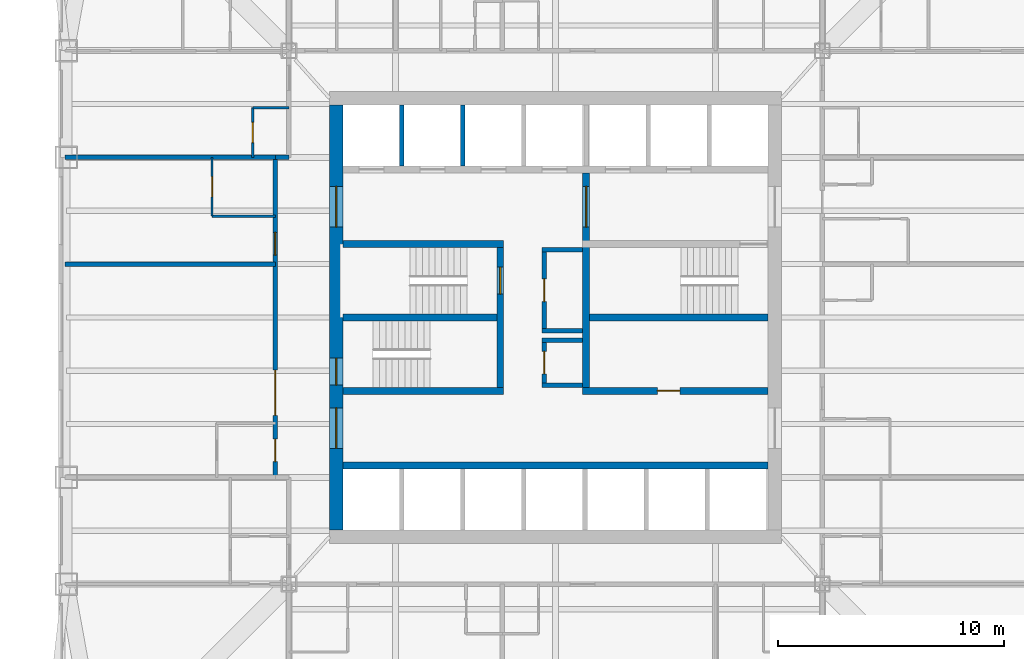
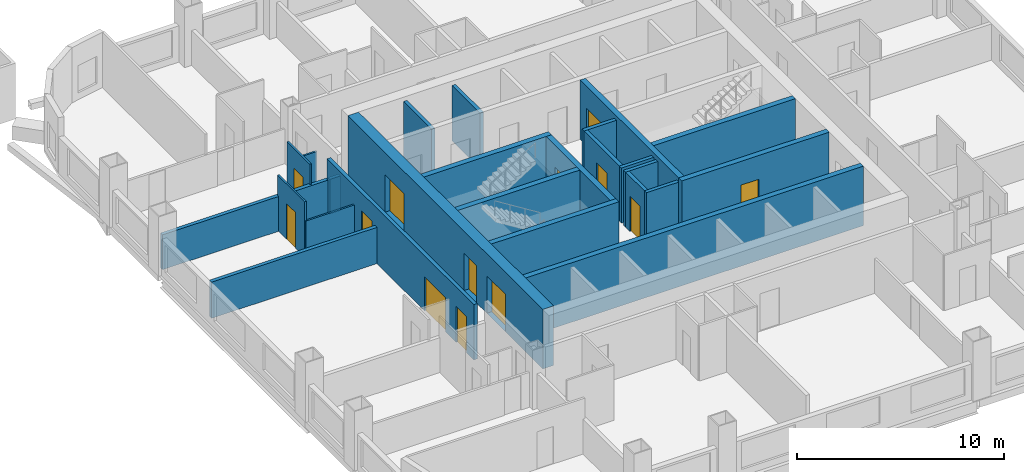
# One storey, part 4 of 9: 25 walls, 13 doors, 13 openings.
"""IFC4 building model written with IfcOpenShell, lengths in metres."""

from ifc_helpers import new_model, si_unit, direction, frame, frame_2d, origin, place, context, subcontext, project, spatial, rectangle, extrude, material, layer, layer_set, type_object, element, fill, save


model = new_model("IFC4")

# Units and contexts
model_context = context("Model", 3, precision=1e-05, world=origin(), true_north=direction((0.0, 1.0)))
body_context = subcontext(model_context, "Body", "Model", "MODEL_VIEW")
ifc_project = project(units=[si_unit("LENGTHUNIT", "METRE"), si_unit("AREAUNIT", "SQUARE_METRE"), si_unit("VOLUMEUNIT", "CUBIC_METRE"), si_unit("PLANEANGLEUNIT", "RADIAN"), si_unit("MASSUNIT", "GRAM", prefix="KILO")], contexts=[model_context])

# Site, building, storey
site_placement = place(None, origin())
site = spatial("IfcSite", under=ifc_project, at=site_placement, CompositionType="ELEMENT")
building_placement = place(site_placement, origin())
building = spatial("IfcBuilding", under=site, at=building_placement, Name="Turquesa Mirador Hotel Tower", CompositionType="ELEMENT")
storey_placement = place(building_placement, frame((0.0, 0.0, 84.5)))
storey = spatial("IfcBuildingStorey", under=building, at=storey_placement, Name="L22", CompositionType="ELEMENT", Elevation=84.5)

# Walls
ifc_material_1 = material(Name="Gypsum board on steel studs", Category="steel")
ifc_layer_1 = layer(ifc_material_1, 0.10009765625)
ifc_layer_set_1 = layer_set([ifc_layer_1], Name="BATHROOM WALL 100")
wall_type_1 = type_object("IfcWallType", Name="BATHROOM WALL 100", PredefinedType="PARTITIONING", material=ifc_layer_set_1)
wall_1_placement = place(storey_placement, frame((39.800048828125, 49.47998046875, 0.0), z_axis=(0.0, 0.0, 1.0), x_axis=(1.0, 0.0, 0.0)))
element("IfcWall", 1, at=wall_1_placement, inside=storey, type_object=wall_type_1, Name="Partition L22 033", PredefinedType="PARTITIONING", context=body_context, shape_type="SweptSolid", body=[
    extrude(rectangle(XDim=2.800048828125, YDim=0.10009765625, at=frame_2d((1.39990234375, 0.0))), origin(), (0.0, 0.0, 1.0), 2.13232421875),
])
wall_2_placement = place(storey_placement, frame((41.60009765625, 54.280029296875, 0.0), z_axis=(0.0, 0.0, 1.0), x_axis=(1.0, 0.0, 0.0)))
element("IfcWall", 2, at=wall_2_placement, inside=storey, type_object=wall_type_1, Name="Partition L22 038", PredefinedType="PARTITIONING", context=body_context, shape_type="SweptSolid", body=[
    extrude(rectangle(XDim=1.599853515625, YDim=0.10009765625, at=frame_2d((0.7998046875, 0.0))), origin(), (0.0, 0.0, 1.0), 2.13232421875),
])

# Wall, opening, door
wall_3_placement = place(storey_placement, frame((41.60009765625, 52.080078125, 0.0), z_axis=(0.0, 0.0, 1.0), x_axis=(0.0, 1.0, 0.0)))
wall_3 = element("IfcWall", 3, at=wall_3_placement, inside=storey, type_object=wall_type_1, Name="Partition L22 047", PredefinedType="PARTITIONING", context=body_context, shape_type="SweptSolid", body=[
    extrude(rectangle(XDim=2.199951171875, YDim=0.10009765625, at=frame_2d((1.10009765625, 0.0))), origin(), (0.0, 0.0, 1.0), 3.25),
])
opening_1_placement = place(wall_3_placement, frame((0.64990234375, 0.0, 0.0)))
opening_1 = element("IfcOpeningElement", 4, at=opening_1_placement, cuts=wall_3, Name="Opening D06", PredefinedType="OPENING", context=body_context, shape_type="SweptSolid", body=[
    extrude(rectangle(XDim=0.89990234375, YDim=2.10009765625, at=frame_2d((0.449951171875, 1.050048828125))), frame((0.0, 0.06005859375, 0.0), z_axis=(0.0, -1.0, 0.0), x_axis=(1.0, 0.0, 0.0)), (0.0, 0.0, 1.0), 0.1201171875),
])
ifc_material_2 = material(Name="Laminate door", Category="wood")
door_type_1 = type_object("IfcDoorType", Name="DOOR 900X2100 WC", OperationType="SINGLE_SWING_LEFT", PredefinedType="DOOR", material=ifc_material_2)
door_1_placement = place(opening_1_placement, origin())
door_1 = element("IfcDoor", 5, at=door_1_placement, inside=storey, type_object=door_type_1, Name="Door 2210W", OperationType="SINGLE_SWING_LEFT", OverallHeight=2.10009765625, OverallWidth=0.89990234375, PredefinedType="DOOR", context=body_context, shape_type="SweptSolid", body=[
    extrude(rectangle(XDim=0.89990234375, YDim=2.10009765625, at=frame_2d((0.449951171875, 1.050048828125))), frame((0.0, 0.02490234375, 0.0), z_axis=(0.0, -1.0, 0.0), x_axis=(1.0, 0.0, 0.0)), (0.0, 0.0, 1.0), 0.050048828125),
])
fill(opening_1, door_1)

wall_4_placement = place(storey_placement, frame((39.800048828125, 49.47998046875, 0.0), z_axis=(0.0, 0.0, 1.0), x_axis=(0.0, 1.0, 0.0)))
wall_4 = element("IfcWall", 6, at=wall_4_placement, inside=storey, type_object=wall_type_1, Name="Partition L22 052", PredefinedType="PARTITIONING", context=body_context, shape_type="SweptSolid", body=[
    extrude(rectangle(XDim=2.60009765625, YDim=0.10009765625, at=frame_2d((1.300048828125, 0.0))), origin(), (0.0, 0.0, 1.0), 3.25),
])
opening_2_placement = place(wall_4_placement, frame((0.85009765625, 0.0, 0.0)))
opening_2 = element("IfcOpeningElement", 7, at=opening_2_placement, cuts=wall_4, Name="Opening D02", PredefinedType="OPENING", context=body_context, shape_type="SweptSolid", body=[
    extrude(rectangle(XDim=0.89990234375, YDim=2.10009765625, at=frame_2d((0.449951171875, 1.050048828125))), frame((0.0, 0.06005859375, 0.0), z_axis=(0.0, -1.0, 0.0), x_axis=(1.0, 0.0, 0.0)), (0.0, 0.0, 1.0), 0.1201171875),
])
ifc_material_3 = material(Name="Timber veneered door", Category="wood")
door_type_2 = type_object("IfcDoorType", Name="DOOR 900X2100 EN-SUITE", OperationType="SINGLE_SWING_RIGHT", PredefinedType="DOOR", material=ifc_material_3)
door_2_placement = place(opening_2_placement, origin())
door_2 = element("IfcDoor", 8, at=door_2_placement, inside=storey, type_object=door_type_2, Name="Door 2208B", OperationType="SINGLE_SWING_RIGHT", OverallHeight=2.10009765625, OverallWidth=0.89990234375, PredefinedType="DOOR", context=body_context, shape_type="SweptSolid", body=[
    extrude(rectangle(XDim=0.89990234375, YDim=2.10009765625, at=frame_2d((0.449951171875, 1.050048828125))), frame((0.0, 0.02490234375, 0.0), z_axis=(0.0, -1.0, 0.0), x_axis=(1.0, 0.0, 0.0)), (0.0, 0.0, 1.0), 0.050048828125),
])
fill(opening_2, door_2)

# Walls
ifc_material_4 = material(Name="Concrete C50/60", Category="concrete")
ifc_layer_2 = layer(ifc_material_4, 0.300048828125)
ifc_layer_set_2 = layer_set([ifc_layer_2], Name="CORE INNER WALL 300")
wall_type_2 = type_object("IfcWallType", Name="CORE INNER WALL 300", PredefinedType="SHEAR", material=ifc_layer_set_2)
wall_5_placement = place(storey_placement, frame((45.60009765625, 38.449951171875, 0.0), z_axis=(0.0, 0.0, 1.0), x_axis=(1.0, 0.0, 0.0)))
element("IfcWall", 9, at=wall_5_placement, inside=storey, type_object=wall_type_2, Name="Core wall SL", PredefinedType="SHEAR", context=body_context, shape_type="SweptSolid", body=[
    extrude(rectangle(XDim=18.7998046875, YDim=0.300048828125, at=frame_2d((9.39990234375, 0.0))), origin(), (0.0, 0.0, 1.0), 3.5),
])
for number, where, z_axis, x_axis, name in (
    (10, (45.60009765625, 48.25, 0.0), (0.0, 0.0, 1.0), (1.0, 0.0, 0.0), "Core wall MN-W"),
    (11, (45.60009765625, 41.75, 0.0), (0.0, 0.0, 1.0), (1.0, 0.0, 0.0), "Core wall MS-W"),
):
    element("IfcWall", number, at=place(storey_placement, frame(where, z_axis=z_axis, x_axis=x_axis)), inside=storey, type_object=wall_type_2, Name=name, PredefinedType="SHEAR", context=body_context, shape_type="SweptSolid", body=[
        extrude(rectangle(XDim=7.099853515625, YDim=0.300048828125, at=frame_2d((3.5498046875, 0.0))), origin(), (0.0, 0.0, 1.0), 3.5),
    ])

# Wall, opening, door
wall_6_placement = place(storey_placement, frame((56.199951171875, 41.75, 0.0), z_axis=(0.0, 0.0, 1.0), x_axis=(1.0, 0.0, 0.0)))
wall_6 = element("IfcWall", 12, at=wall_6_placement, inside=storey, type_object=wall_type_2, Name="Core wall MS-E", PredefinedType="SHEAR", context=body_context, shape_type="SweptSolid", body=[
    extrude(rectangle(XDim=8.199951171875, YDim=0.300048828125, at=frame_2d((4.10009765625, 0.0))), origin(), (0.0, 0.0, 1.0), 3.5),
])
opening_3_placement = place(wall_6_placement, frame((3.300048828125, 0.0, 0.0)))
opening_3 = element("IfcOpeningElement", 13, at=opening_3_placement, cuts=wall_6, Name="Opening D05", PredefinedType="OPENING", context=body_context, shape_type="SweptSolid", body=[
    extrude(rectangle(XDim=1.0, YDim=2.10009765625, at=frame_2d((0.5, 1.050048828125))), frame((0.0, 0.159912109375, 0.0), z_axis=(0.0, -1.0, 0.0), x_axis=(1.0, 0.0, 0.0)), (0.0, 0.0, 1.0), 0.320068359375),
])
ifc_material_5 = material(Name="Steel fire door", Category="steel")
door_type_3 = type_object("IfcDoorType", Name="DOOR 1000X2100 SERVICE", OperationType="SINGLE_SWING_LEFT", PredefinedType="DOOR", material=ifc_material_5)
door_3_placement = place(opening_3_placement, origin())
door_3 = element("IfcDoor", 14, at=door_3_placement, inside=storey, type_object=door_type_3, Name="Housekeeping room door", OperationType="SINGLE_SWING_LEFT", OverallHeight=2.10009765625, OverallWidth=1.0, PredefinedType="DOOR", context=body_context, shape_type="SweptSolid", body=[
    extrude(rectangle(XDim=1.0, YDim=2.10009765625, at=frame_2d((0.5, 1.050048828125))), frame((0.0, 0.02490234375, 0.0), z_axis=(0.0, -1.0, 0.0), x_axis=(1.0, 0.0, 0.0)), (0.0, 0.0, 1.0), 0.050048828125),
])
fill(opening_3, door_3)

wall_7_placement = place(storey_placement, frame((52.550048828125, 41.89990234375, 0.0), z_axis=(0.0, 0.0, 1.0), x_axis=(0.0, 1.0, 0.0)))
wall_7 = element("IfcWall", 15, at=wall_7_placement, inside=storey, type_object=wall_type_2, Name="Core wall PW", PredefinedType="SHEAR", context=body_context, shape_type="SweptSolid", body=[
    extrude(rectangle(XDim=6.2001953125, YDim=0.300048828125, at=frame_2d((3.10009765625, 0.0))), origin(), (0.0, 0.0, 1.0), 3.5),
])
opening_4_placement = place(wall_7_placement, frame((4.125, 0.0, 0.0)))
opening_4 = element("IfcOpeningElement", 16, at=opening_4_placement, cuts=wall_7, Name="Opening D03", PredefinedType="OPENING", context=body_context, shape_type="SweptSolid", body=[
    extrude(rectangle(XDim=1.199951171875, YDim=2.199951171875, at=frame_2d((0.60009765625, 1.10009765625))), frame((0.0, 0.159912109375, 0.0), z_axis=(0.0, -1.0, 0.0), x_axis=(1.0, 0.0, 0.0)), (0.0, 0.0, 1.0), 0.320068359375),
])
ifc_material_6 = material(Name="Steel fire door", Category="steel")
door_type_4 = type_object("IfcDoorType", Name="DOOR 1200X2200 STAIR", OperationType="SINGLE_SWING_LEFT", PredefinedType="DOOR", material=ifc_material_6)
door_4_placement = place(opening_4_placement, origin())
door_4 = element("IfcDoor", 17, at=door_4_placement, inside=storey, type_object=door_type_4, Name="Stair ST1 door", OperationType="SINGLE_SWING_LEFT", OverallHeight=2.199951171875, OverallWidth=1.199951171875, PredefinedType="DOOR", context=body_context, shape_type="SweptSolid", body=[
    extrude(rectangle(XDim=1.199951171875, YDim=2.199951171875, at=frame_2d((0.60009765625, 1.10009765625))), frame((0.0, 0.02490234375, 0.0), z_axis=(0.0, -1.0, 0.0), x_axis=(1.0, 0.0, 0.0)), (0.0, 0.0, 1.0), 0.050048828125),
])
fill(opening_4, door_4)

wall_8_placement = place(storey_placement, frame((56.35009765625, 41.89990234375, 0.0), z_axis=(0.0, 0.0, 1.0), x_axis=(0.0, 1.0, 0.0)))
wall_8 = element("IfcWall", 18, at=wall_8_placement, inside=storey, type_object=wall_type_2, Name="Core wall PE", PredefinedType="SHEAR", context=body_context, shape_type="SweptSolid", body=[
    extrude(rectangle(XDim=9.5, YDim=0.300048828125, at=frame_2d((4.75, 0.0))), origin(), (0.0, 0.0, 1.0), 3.5),
])
opening_5_placement = place(wall_8_placement, frame((7.10009765625, 0.0, 0.0)))
opening_5 = element("IfcOpeningElement", 19, at=opening_5_placement, cuts=wall_8, Name="Opening D04", PredefinedType="OPENING", context=body_context, shape_type="SweptSolid", body=[
    extrude(rectangle(XDim=1.800048828125, YDim=2.199951171875, at=frame_2d((0.89990234375, 1.10009765625))), frame((0.0, 0.159912109375, 0.0), z_axis=(0.0, -1.0, 0.0), x_axis=(1.0, 0.0, 0.0)), (0.0, 0.0, 1.0), 0.320068359375),
])
ifc_material_7 = material(Name="Steel fire door pair", Category="steel")
door_type_5 = type_object("IfcDoorType", Name="DOOR 1800X2200 PAIR", OperationType="DOUBLE_DOOR_SINGLE_SWING", PredefinedType="DOOR", material=ifc_material_7)
door_5_placement = place(opening_5_placement, origin())
door_5 = element("IfcDoor", 20, at=door_5_placement, inside=storey, type_object=door_type_5, Name="Firefighting lobby inner door", OperationType="DOUBLE_DOOR_SINGLE_SWING", OverallHeight=2.199951171875, OverallWidth=1.800048828125, PredefinedType="DOOR", context=body_context, shape_type="SweptSolid", body=[
    extrude(rectangle(XDim=1.800048828125, YDim=2.199951171875, at=frame_2d((0.89990234375, 1.10009765625))), frame((0.0, 0.02490234375, 0.0), z_axis=(0.0, -1.0, 0.0), x_axis=(1.0, 0.0, 0.0)), (0.0, 0.0, 1.0), 0.050048828125),
])
fill(opening_5, door_5)

# Walls
wall_9_placement = place(storey_placement, frame((45.60009765625, 45.0, 0.0), z_axis=(0.0, 0.0, 1.0), x_axis=(1.0, 0.0, 0.0)))
element("IfcWall", 21, at=wall_9_placement, inside=storey, type_object=wall_type_2, Name="Core wall M0-W", PredefinedType="SHEAR", context=body_context, shape_type="SweptSolid", body=[
    extrude(rectangle(XDim=6.7998046875, YDim=0.300048828125, at=frame_2d((3.39990234375, 0.0))), origin(), (0.0, 0.0, 1.0), 3.5),
])
wall_10_placement = place(storey_placement, frame((56.5, 45.0, 0.0), z_axis=(0.0, 0.0, 1.0), x_axis=(1.0, 0.0, 0.0)))
element("IfcWall", 22, at=wall_10_placement, inside=storey, type_object=wall_type_2, Name="Core wall M0-E", PredefinedType="SHEAR", context=body_context, shape_type="SweptSolid", body=[
    extrude(rectangle(XDim=7.89990234375, YDim=0.300048828125, at=frame_2d((3.949951171875, 0.0))), origin(), (0.0, 0.0, 1.0), 3.5),
])

# Wall, openings, doors
ifc_material_8 = material(Name="Concrete C50/60", Category="concrete")
ifc_layer_3 = layer(ifc_material_8, 0.60009765625)
ifc_layer_set_3 = layer_set([ifc_layer_3], Name="CORE WALL 600")
wall_type_3 = type_object("IfcWallType", Name="CORE WALL 600", PredefinedType="SHEAR", material=ifc_layer_set_3)
wall_11_placement = place(storey_placement, frame((45.300048828125, 35.60009765625, 0.0), z_axis=(0.0, 0.0, 1.0), x_axis=(0.0, 1.0, 0.0)))
wall_11 = element("IfcWall", 23, at=wall_11_placement, inside=storey, type_object=wall_type_3, Name="Core wall W", PredefinedType="SHEAR", context=body_context, shape_type="SweptSolid", body=[
    extrude(rectangle(XDim=18.7998046875, YDim=0.60009765625, at=frame_2d((9.39990234375, 0.0))), origin(), (0.0, 0.0, 1.0), 3.5),
])
opening_6_placement = place(wall_11_placement, frame((13.39990234375, 0.0, 0.0)))
opening_6 = element("IfcOpeningElement", 24, at=opening_6_placement, cuts=wall_11, Name="Opening D04", PredefinedType="OPENING", context=body_context, shape_type="SweptSolid", body=[
    extrude(rectangle(XDim=1.800048828125, YDim=2.199951171875, at=frame_2d((0.89990234375, 1.10009765625))), frame((0.0, 0.31005859375, 0.0), z_axis=(0.0, -1.0, 0.0), x_axis=(1.0, 0.0, 0.0)), (0.0, 0.0, 1.0), 0.6201171875),
])
opening_7_placement = place(wall_11_placement, frame((3.60009765625, 0.0, 0.0)))
opening_7 = element("IfcOpeningElement", 25, at=opening_7_placement, cuts=wall_11, Name="Opening D04", PredefinedType="OPENING", context=body_context, shape_type="SweptSolid", body=[
    extrude(rectangle(XDim=1.800048828125, YDim=2.199951171875, at=frame_2d((0.89990234375, 1.10009765625))), frame((0.0, 0.31005859375, 0.0), z_axis=(0.0, -1.0, 0.0), x_axis=(1.0, 0.0, 0.0)), (0.0, 0.0, 1.0), 0.6201171875),
])
opening_8_placement = place(wall_11_placement, frame((6.39990234375, 0.0, 0.0)))
opening_8 = element("IfcOpeningElement", 26, at=opening_8_placement, cuts=wall_11, Name="Opening D03", PredefinedType="OPENING", context=body_context, shape_type="SweptSolid", body=[
    extrude(rectangle(XDim=1.199951171875, YDim=2.199951171875, at=frame_2d((0.60009765625, 1.10009765625))), frame((0.0, 0.31005859375, 0.0), z_axis=(0.0, -1.0, 0.0), x_axis=(1.0, 0.0, 0.0)), (0.0, 0.0, 1.0), 0.6201171875),
])
door_6_placement = place(opening_8_placement, origin())
door_6 = element("IfcDoor", 27, at=door_6_placement, inside=storey, type_object=door_type_4, Name="Stair ST2 door", OperationType="SINGLE_SWING_LEFT", OverallHeight=2.199951171875, OverallWidth=1.199951171875, PredefinedType="DOOR", context=body_context, shape_type="SweptSolid", body=[
    extrude(rectangle(XDim=1.199951171875, YDim=2.199951171875, at=frame_2d((0.60009765625, 1.10009765625))), frame((0.0, 0.02490234375, 0.0), z_axis=(0.0, -1.0, 0.0), x_axis=(1.0, 0.0, 0.0)), (0.0, 0.0, 1.0), 0.050048828125),
])
fill(opening_8, door_6)
door_7_placement = place(opening_6_placement, origin())
door_7 = element("IfcDoor", 28, at=door_7_placement, inside=storey, type_object=door_type_5, Name="North lift lobby door", OperationType="DOUBLE_DOOR_SINGLE_SWING", OverallHeight=2.199951171875, OverallWidth=1.800048828125, PredefinedType="DOOR", context=body_context, shape_type="SweptSolid", body=[
    extrude(rectangle(XDim=1.800048828125, YDim=2.199951171875, at=frame_2d((0.89990234375, 1.10009765625))), frame((0.0, 0.02490234375, 0.0), z_axis=(0.0, -1.0, 0.0), x_axis=(1.0, 0.0, 0.0)), (0.0, 0.0, 1.0), 0.050048828125),
])
fill(opening_6, door_7)
door_8_placement = place(opening_7_placement, origin())
door_8 = element("IfcDoor", 29, at=door_8_placement, inside=storey, type_object=door_type_5, Name="South lift lobby door", OperationType="DOUBLE_DOOR_SINGLE_SWING", OverallHeight=2.199951171875, OverallWidth=1.800048828125, PredefinedType="DOOR", context=body_context, shape_type="SweptSolid", body=[
    extrude(rectangle(XDim=1.800048828125, YDim=2.199951171875, at=frame_2d((0.89990234375, 1.10009765625))), frame((0.0, 0.02490234375, 0.0), z_axis=(0.0, -1.0, 0.0), x_axis=(1.0, 0.0, 0.0)), (0.0, 0.0, 1.0), 0.050048828125),
])
fill(opening_7, door_8)

# Wall
ifc_material_9 = material(Name="Fire-rated gypsum board on steel studs", Category="steel")
ifc_layer_4 = layer(ifc_material_9, 0.199951171875)
ifc_layer_set_4 = layer_set([ifc_layer_4], Name="CORRIDOR WALL 200")
wall_type_4 = type_object("IfcWallType", Name="CORRIDOR WALL 200", PredefinedType="PARTITIONING", material=ifc_layer_set_4)
wall_12_placement = place(storey_placement, frame((42.60009765625, 52.080078125, 0.0), z_axis=(0.0, 0.0, 1.0), x_axis=(1.0, 0.0, 0.0)))
element("IfcWall", 30, at=wall_12_placement, inside=storey, type_object=wall_type_4, Name="Partition L22 035", PredefinedType="PARTITIONING", context=body_context, shape_type="SweptSolid", body=[
    extrude(rectangle(XDim=0.599853515625, YDim=0.199951171875, at=frame_2d((0.2998046875, 0.0))), origin(), (0.0, 0.0, 1.0), 2.050048828125),
])

# Wall, openings, doors
wall_13_placement = place(storey_placement, frame((42.60009765625, 37.919921875, 0.0), z_axis=(0.0, 0.0, 1.0), x_axis=(0.0, 1.0, 0.0)))
wall_13 = element("IfcWall", 31, at=wall_13_placement, inside=storey, type_object=wall_type_4, Name="Partition L22 046", PredefinedType="PARTITIONING", context=body_context, shape_type="SweptSolid", body=[
    extrude(rectangle(XDim=14.16015625, YDim=0.199951171875, at=frame_2d((7.080078125, 0.0))), origin(), (0.0, 0.0, 1.0), 3.25),
])
opening_9_placement = place(wall_13_placement, frame((9.840087890625, 0.0, 0.0)))
opening_9 = element("IfcOpeningElement", 32, at=opening_9_placement, cuts=wall_13, Name="Opening D01", PredefinedType="OPENING", context=body_context, shape_type="SweptSolid", body=[
    extrude(rectangle(XDim=1.0, YDim=2.199951171875, at=frame_2d((0.5, 1.10009765625))), frame((0.0, 0.10986328125, 0.0), z_axis=(0.0, -1.0, 0.0), x_axis=(1.0, 0.0, 0.0)), (0.0, 0.0, 1.0), 0.219970703125),
])
opening_10_placement = place(wall_13_placement, frame((2.75, 0.0, 0.0)))
opening_10 = element("IfcOpeningElement", 33, at=opening_10_placement, cuts=wall_13, Name="Opening D26", PredefinedType="OPENING", context=body_context, shape_type="SweptSolid", body=[
    extrude(rectangle(XDim=2.0, YDim=2.0, at=frame_2d((1.0, 1.0))), frame((0.0, 0.10986328125, 0.0), z_axis=(0.0, -1.0, 0.0), x_axis=(1.0, 0.0, 0.0)), (0.0, 0.0, 1.0), 0.219970703125),
])
opening_11_placement = place(wall_13_placement, frame((0.699951171875, 0.0, 0.0)))
opening_11 = element("IfcOpeningElement", 34, at=opening_11_placement, cuts=wall_13, Name="Opening D05", PredefinedType="OPENING", context=body_context, shape_type="SweptSolid", body=[
    extrude(rectangle(XDim=1.0, YDim=2.10009765625, at=frame_2d((0.5, 1.050048828125))), frame((0.0, 0.10986328125, 0.0), z_axis=(0.0, -1.0, 0.0), x_axis=(1.0, 0.0, 0.0)), (0.0, 0.0, 1.0), 0.219970703125),
])
door_9_placement = place(opening_11_placement, origin())
door_9 = element("IfcDoor", 35, at=door_9_placement, inside=storey, type_object=door_type_3, Name="Door L22-LGP-1", OperationType="SINGLE_SWING_LEFT", OverallHeight=2.10009765625, OverallWidth=1.0, PredefinedType="DOOR", context=body_context, shape_type="SweptSolid", body=[
    extrude(rectangle(XDim=1.0, YDim=2.10009765625, at=frame_2d((0.5, 1.050048828125))), frame((0.0, 0.02490234375, 0.0), z_axis=(0.0, -1.0, 0.0), x_axis=(1.0, 0.0, 0.0)), (0.0, 0.0, 1.0), 0.050048828125),
])
fill(opening_11, door_9)
ifc_material_10 = material(Name="Timber veneered fire door", Category="wood")
door_type_6 = type_object("IfcDoorType", Name="DOOR 1000X2200 GUEST ENTRY", OperationType="SINGLE_SWING_LEFT", PredefinedType="DOOR", material=ifc_material_10)
door_10_placement = place(opening_9_placement, origin())
door_10 = element("IfcDoor", 36, at=door_10_placement, inside=storey, type_object=door_type_6, Name="Door 2208", OperationType="SINGLE_SWING_LEFT", OverallHeight=2.199951171875, OverallWidth=1.0, PredefinedType="DOOR", context=body_context, shape_type="SweptSolid", body=[
    extrude(rectangle(XDim=1.0, YDim=2.199951171875, at=frame_2d((0.5, 1.10009765625))), frame((0.0, 0.02490234375, 0.0), z_axis=(0.0, -1.0, 0.0), x_axis=(1.0, 0.0, 0.0)), (0.0, 0.0, 1.0), 0.050048828125),
])
fill(opening_9, door_10)
ifc_material_11 = material(Name="Timber veneered fire door pair", Category="wood")
door_type_7 = type_object("IfcDoorType", Name="DOOR 2000X2000 LOUNGE PAIR", OperationType="DOUBLE_DOOR_SINGLE_SWING", PredefinedType="DOOR", material=ifc_material_11)
door_11_placement = place(opening_10_placement, origin())
door_11 = element("IfcDoor", 37, at=door_11_placement, inside=storey, type_object=door_type_7, Name="Door L22-LG", OperationType="DOUBLE_DOOR_SINGLE_SWING", OverallHeight=2.0, OverallWidth=2.0, PredefinedType="DOOR", context=body_context, shape_type="SweptSolid", body=[
    extrude(rectangle(XDim=2.0, YDim=2.0, at=frame_2d((1.0, 1.0))), frame((0.0, 0.02490234375, 0.0), z_axis=(0.0, -1.0, 0.0), x_axis=(1.0, 0.0, 0.0)), (0.0, 0.0, 1.0), 0.050048828125),
])
fill(opening_10, door_11)

# Wall, opening, door
ifc_material_12 = material(Name="Fire-rated gypsum board on steel studs", Category="steel")
ifc_layer_5 = layer(ifc_material_12, 0.199951171875)
ifc_layer_set_5 = layer_set([ifc_layer_5], Name="FIRE PARTITION 200")
wall_type_5 = type_object("IfcWallType", Name="FIRE PARTITION 200", PredefinedType="PARTITIONING", material=ifc_layer_set_5)
wall_14_placement = place(storey_placement, frame((54.5, 42.0, 0.0), z_axis=(0.0, 0.0, 1.0), x_axis=(0.0, 1.0, 0.0)))
wall_14 = element("IfcWall", 38, at=wall_14_placement, inside=storey, type_object=wall_type_5, Name="Partition L22 BO W", PredefinedType="PARTITIONING", context=body_context, shape_type="SweptSolid", body=[
    extrude(rectangle(XDim=2.0, YDim=0.199951171875, at=frame_2d((1.0, 0.0))), origin(), (0.0, 0.0, 1.0), 3.25),
])
opening_12_placement = place(wall_14_placement, frame((0.5, 0.0, 0.0)))
opening_12 = element("IfcOpeningElement", 39, at=opening_12_placement, cuts=wall_14, Name="Opening D05", PredefinedType="OPENING", context=body_context, shape_type="SweptSolid", body=[
    extrude(rectangle(XDim=1.0, YDim=2.10009765625, at=frame_2d((0.5, 1.050048828125))), frame((0.0, 0.10986328125, 0.0), z_axis=(0.0, -1.0, 0.0), x_axis=(1.0, 0.0, 0.0)), (0.0, 0.0, 1.0), 0.219970703125),
])
door_12_placement = place(opening_12_placement, origin())
door_12 = element("IfcDoor", 40, at=door_12_placement, inside=storey, type_object=door_type_3, Name="Butler's pantry door", OperationType="SINGLE_SWING_LEFT", OverallHeight=2.10009765625, OverallWidth=1.0, PredefinedType="DOOR", context=body_context, shape_type="SweptSolid", body=[
    extrude(rectangle(XDim=1.0, YDim=2.10009765625, at=frame_2d((0.5, 1.050048828125))), frame((0.0, 0.02490234375, 0.0), z_axis=(0.0, -1.0, 0.0), x_axis=(1.0, 0.0, 0.0)), (0.0, 0.0, 1.0), 0.050048828125),
])
fill(opening_12, door_12)

# Walls
for number, where, z_axis, x_axis, name in (
    (41, (54.39990234375, 42.0, 0.0), (0.0, 0.0, 1.0), (1.0, 0.0, 0.0), "Partition L22 BO S"),
    (42, (54.39990234375, 44.0, 0.0), (0.0, 0.0, 1.0), (1.0, 0.0, 0.0), "Partition L22 BO N"),
):
    element("IfcWall", number, at=place(storey_placement, frame(where, z_axis=z_axis, x_axis=x_axis)), inside=storey, type_object=wall_type_5, Name=name, PredefinedType="PARTITIONING", context=body_context, shape_type="SweptSolid", body=[
        extrude(rectangle(XDim=1.800048828125, YDim=0.199951171875, at=frame_2d((0.89990234375, 0.0))), origin(), (0.0, 0.0, 1.0), 3.25),
    ])

# Wall, opening, door
wall_15_placement = place(storey_placement, frame((54.5, 44.39990234375, 0.0), z_axis=(0.0, 0.0, 1.0), x_axis=(0.0, 1.0, 0.0)))
wall_15 = element("IfcWall", 43, at=wall_15_placement, inside=storey, type_object=wall_type_5, Name="Partition L22 BP W", PredefinedType="PARTITIONING", context=body_context, shape_type="SweptSolid", body=[
    extrude(rectangle(XDim=3.60009765625, YDim=0.199951171875, at=frame_2d((1.800048828125, 0.0))), origin(), (0.0, 0.0, 1.0), 3.25),
])
opening_13_placement = place(wall_15_placement, frame((1.300048828125, 0.0, 0.0)))
opening_13 = element("IfcOpeningElement", 44, at=opening_13_placement, cuts=wall_15, Name="Opening D05", PredefinedType="OPENING", context=body_context, shape_type="SweptSolid", body=[
    extrude(rectangle(XDim=1.0, YDim=2.10009765625, at=frame_2d((0.5, 1.050048828125))), frame((0.0, 0.10986328125, 0.0), z_axis=(0.0, -1.0, 0.0), x_axis=(1.0, 0.0, 0.0)), (0.0, 0.0, 1.0), 0.219970703125),
])
door_13_placement = place(opening_13_placement, origin())
door_13 = element("IfcDoor", 45, at=door_13_placement, inside=storey, type_object=door_type_3, Name="Lounge pantry door", OperationType="SINGLE_SWING_LEFT", OverallHeight=2.10009765625, OverallWidth=1.0, PredefinedType="DOOR", context=body_context, shape_type="SweptSolid", body=[
    extrude(rectangle(XDim=1.0, YDim=2.10009765625, at=frame_2d((0.5, 1.050048828125))), frame((0.0, 0.02490234375, 0.0), z_axis=(0.0, -1.0, 0.0), x_axis=(1.0, 0.0, 0.0)), (0.0, 0.0, 1.0), 0.050048828125),
])
fill(opening_13, door_13)

# Walls
for number, where, z_axis, x_axis, name in (
    (46, (54.39990234375, 44.39990234375, 0.0), (0.0, 0.0, 1.0), (1.0, 0.0, 0.0), "Partition L22 BP S"),
    (47, (54.39990234375, 48.0, 0.0), (0.0, 0.0, 1.0), (1.0, 0.0, 0.0), "Partition L22 BP N"),
):
    element("IfcWall", number, at=place(storey_placement, frame(where, z_axis=z_axis, x_axis=x_axis)), inside=storey, type_object=wall_type_5, Name=name, PredefinedType="PARTITIONING", context=body_context, shape_type="SweptSolid", body=[
        extrude(rectangle(XDim=1.800048828125, YDim=0.199951171875, at=frame_2d((0.89990234375, 0.0))), origin(), (0.0, 0.0, 1.0), 3.25),
    ])
ifc_material_13 = material(Name="Fire-rated gypsum shaft wall on steel studs", Category="steel")
ifc_layer_6 = layer(ifc_material_13, 0.199951171875)
ifc_layer_set_6 = layer_set([ifc_layer_6], Name="LIFT SHAFT DIVIDER 200")
wall_type_6 = type_object("IfcWallType", Name="LIFT SHAFT DIVIDER 200", PredefinedType="PARTITIONING", material=ifc_layer_set_6)
for number, where, z_axis, x_axis, name in (
    (48, (48.199951171875, 51.699951171875, 0.0), (0.0, 0.0, 1.0), (0.0, 1.0, 0.0), "Lift shaft divider"),
    (49, (50.89990234375, 51.699951171875, 0.0), (0.0, 0.0, 1.0), (0.0, 1.0, 0.0), "Lift shaft divider"),
):
    element("IfcWall", number, at=place(storey_placement, frame(where, z_axis=z_axis, x_axis=x_axis)), inside=storey, type_object=wall_type_6, Name=name, PredefinedType="PARTITIONING", context=body_context, shape_type="SweptSolid", body=[
        extrude(rectangle(XDim=2.699951171875, YDim=0.199951171875, at=frame_2d((1.35009765625, 0.0))), origin(), (0.0, 0.0, 1.0), 3.25),
    ])
ifc_material_14 = material(Name="Fire-rated gypsum board on steel studs", Category="steel")
ifc_layer_7 = layer(ifc_material_14, 0.199951171875)
ifc_layer_set_7 = layer_set([ifc_layer_7], Name="PARTY WALL 200")
wall_type_7 = type_object("IfcWallType", Name="PARTY WALL 200", PredefinedType="PARTITIONING", material=ifc_layer_set_7)
wall_16_placement = place(storey_placement, frame((33.300048828125, 47.360107421875, 0.0), z_axis=(0.0, 0.0, 1.0), x_axis=(1.0, 0.0, 0.0)))
element("IfcWall", 50, at=wall_16_placement, inside=storey, type_object=wall_type_7, Name="Partition L22 030", PredefinedType="PARTITIONING", context=body_context, shape_type="SweptSolid", body=[
    extrude(rectangle(XDim=9.300048828125, YDim=0.199951171875, at=frame_2d((4.64990234375, 0.0))), origin(), (0.0, 0.0, 1.0), 2.13232421875),
])
wall_17_placement = place(storey_placement, frame((33.300048828125, 52.080078125, 0.0), z_axis=(0.0, 0.0, 1.0), x_axis=(1.0, 0.0, 0.0)))
element("IfcWall", 51, at=wall_17_placement, inside=storey, type_object=wall_type_7, Name="Partition L22 036", PredefinedType="PARTITIONING", context=body_context, shape_type="SweptSolid", body=[
    extrude(rectangle(XDim=9.300048828125, YDim=0.199951171875, at=frame_2d((4.64990234375, 0.0))), origin(), (0.0, 0.0, 1.0), 2.050048828125),
])

save(model, "model.ifc")
